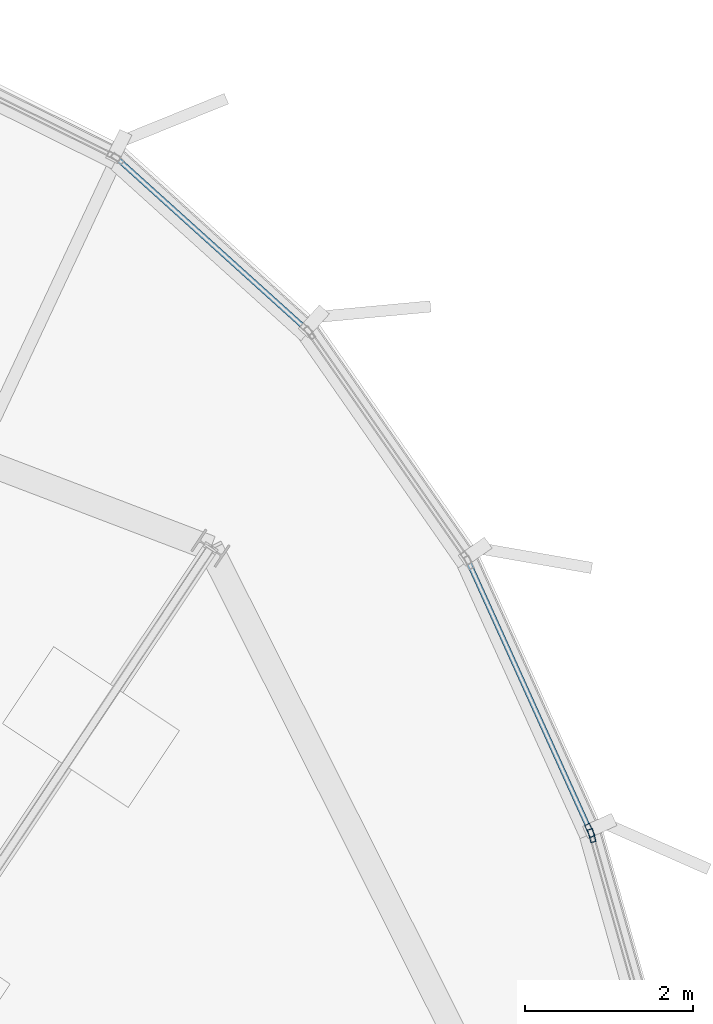
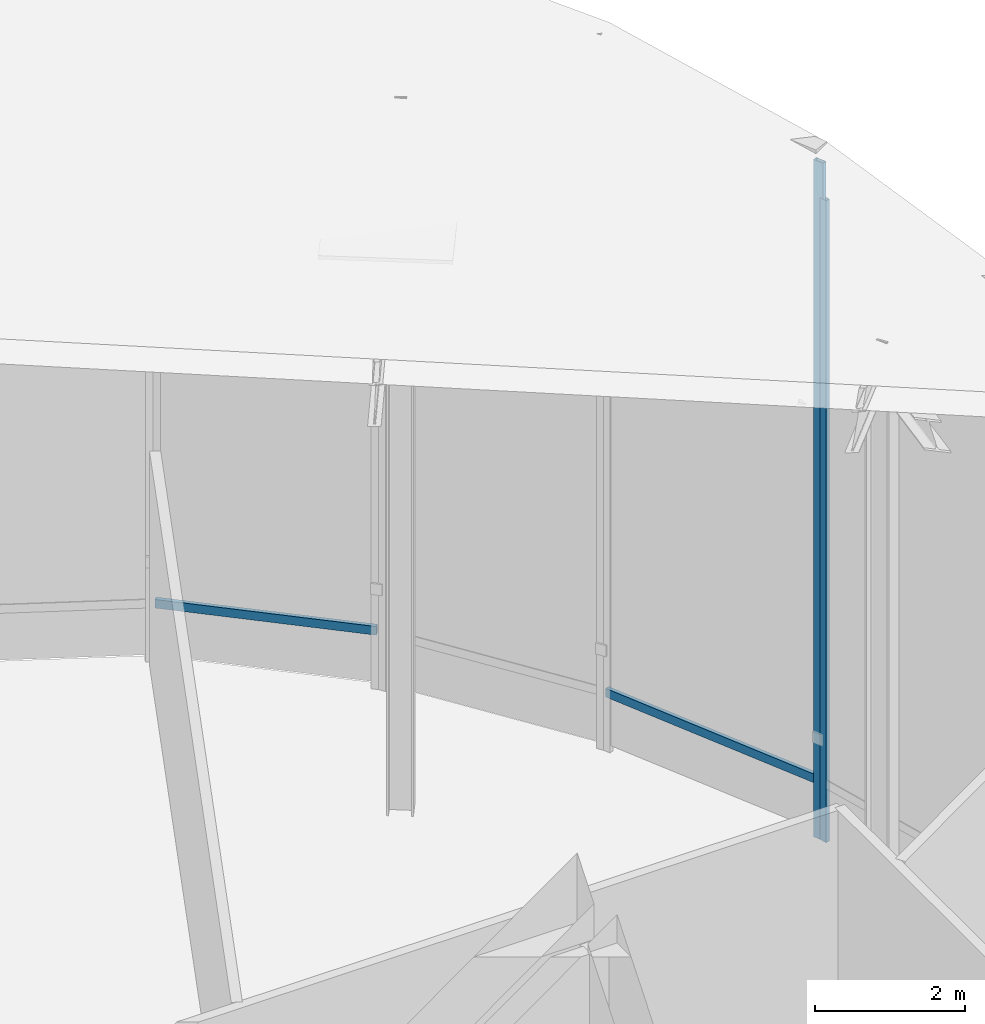
# One storey, part 23 of 36: 4 members, 3 elements without a shape of their own.
"""IFC4 building model written with IfcOpenShell, lengths in metres."""

from ifc_helpers import new_model, si_unit, direction, frame, origin, origin_2d, place, context, subcontext, project, spatial, hollow_rectangle, extrude, source, transform, mapped, material, layer, layer_set, material_profile, profile_set, type_object, element, aggregate, save


model = new_model("IFC4")

# Units and contexts
model_context = context("Model", 3, precision=1e-05, world=origin(), true_north=direction((0.0, 1.0)))
body_context = subcontext(model_context, "Body", "Model", "MODEL_VIEW")
ifc_project = project(units=[si_unit("LENGTHUNIT", "METRE"), si_unit("AREAUNIT", "SQUARE_METRE"), si_unit("VOLUMEUNIT", "CUBIC_METRE"), si_unit("PLANEANGLEUNIT", "RADIAN"), si_unit("MASSUNIT", "GRAM", prefix="KILO"), si_unit("THERMODYNAMICTEMPERATUREUNIT", "KELVIN")], contexts=[model_context])

# Site, building, storey
site_placement = place(None, origin())
site = spatial("IfcSite", under=ifc_project, at=site_placement, CompositionType="ELEMENT")
building_placement = place(site_placement, origin())
building = spatial("IfcBuilding", under=site, at=building_placement, Name="Kethvar Cultural Tower", CompositionType="ELEMENT")
storey_placement = place(building_placement, frame((0.0, 0.0, 324.300048828125)))
storey = spatial("IfcBuildingStorey", under=building, at=storey_placement, Name="L86", CompositionType="ELEMENT", Elevation=324.300048828125)

# Curtain wall, members
ifc_material = material(Name="Aluminium 6063-T6", Category="aluminium")
ifc_layer = layer(ifc_material, 0.179931640625, Name="Aluminium 6063-T6", Category="aluminium")
ifc_layer_set = layer_set([ifc_layer], Name="Aluminium 6063-T6 (180 mm)")
curtain_wall_type = type_object("IfcCurtainWallType", Name="CW-SYS-06-CROWN", PredefinedType="NOTDEFINED", material=ifc_layer_set)
curtain_wall_1_placement = place(storey_placement, origin())
curtain_wall_1 = element("IfcCurtainWall", 1, at=curtain_wall_1_placement, inside=storey, type_object=curtain_wall_type, Name="L86 Curtain Wall Run 33", PredefinedType="NOTDEFINED")
ifc_material_profile_1 = material_profile(ifc_material, hollow_rectangle(XDim=0.06494140625, YDim=0.159912109375, WallThickness=0.0048828125, at=origin_2d()), Name="Aluminium 6063-T6 — RHS160x65x5")
ifc_profile_set_1 = profile_set([ifc_material_profile_1], Name="Aluminium 6063-T6 — RHS160x65x5")
member_type_1 = type_object("IfcMemberType", Name="CW-SYS-06-CROWN-MUL", PredefinedType="MULLION", material=ifc_profile_set_1)
shared_shape_1 = source(origin(), body_context, "Body", "SweptSolid", [
    extrude(hollow_rectangle(XDim=0.06494140625, YDim=0.159912109375, WallThickness=0.0048828125, at=origin_2d()), origin(), (0.0, 0.0, 1.0), 11.035400390625),
])
member_1_placement = place(storey_placement, frame((62.3916015625, 41.013916015625, 0.0), z_axis=(0.0, 0.0, 1.0), x_axis=(-0.911338624867, -0.41165751642, 0.0)))
member_1 = element("IfcMember", 2, at=member_1_placement, type_object=member_type_1, Name="CW-L86-R33 Mullion 1", PredefinedType="MULLION", context=body_context, shape_type="MappedRepresentation", body=[
    mapped(shared_shape_1, transform((0.0, 0.0, 0.0), scale=1.0)),
])
ifc_material_profile_2 = material_profile(ifc_material, hollow_rectangle(XDim=0.06005859375, YDim=0.139892578125, WallThickness=0.0048828125, at=origin_2d()), Name="Aluminium 6063-T6 — RHS140x60x5")
ifc_profile_set_2 = profile_set([ifc_material_profile_2], Name="Aluminium 6063-T6 — RHS140x60x5")
member_type_2 = type_object("IfcMemberType", Name="CW-SYS-06-CROWN-TRN", PredefinedType="USERDEFINED", material=ifc_profile_set_2)
shared_shape_2 = source(origin(), body_context, "Body", "SweptSolid", [
    extrude(hollow_rectangle(XDim=0.06005859375, YDim=0.139892578125, WallThickness=0.0048828125, at=origin_2d()), origin(), (0.0, 0.0, 1.0), 3.490966796875),
])
member_2_placement = place(storey_placement, frame((62.389892578125, 41.018310546875, 0.949951171875), z_axis=(-0.411704767548, 0.911317279754, 0.0), x_axis=(-0.911317279754, -0.411704767548, 0.0)))
member_2 = element("IfcMember", 3, at=member_2_placement, type_object=member_type_2, Name="CW-L86-R33 Transom 1", ObjectType="TRANSOM", PredefinedType="USERDEFINED", context=body_context, shape_type="MappedRepresentation", body=[
    mapped(shared_shape_2, transform((0.0, 0.0, 0.0), scale=1.0)),
])
aggregate(curtain_wall_1, [member_1, member_2])

# Curtain wall, member
curtain_wall_2_placement = place(storey_placement, origin())
curtain_wall_2 = element("IfcCurtainWall", 4, at=curtain_wall_2_placement, inside=storey, type_object=curtain_wall_type, Name="L86 Curtain Wall Run 32", PredefinedType="NOTDEFINED")
shared_shape_3 = source(origin(), body_context, "Body", "SweptSolid", [
    extrude(hollow_rectangle(XDim=0.06494140625, YDim=0.159912109375, WallThickness=0.0048828125, at=origin_2d()), origin(), (0.0, 0.0, 1.0), 10.45751953125),
])
member_3_placement = place(storey_placement, frame((62.414306640625, 40.951904296875, 0.0), z_axis=(0.0, 0.0, 1.0), x_axis=(-0.962738960451, -0.270432420449, 0.0)))
member_3 = element("IfcMember", 5, at=member_3_placement, type_object=member_type_1, Name="CW-L86-R32 Mullion 2", PredefinedType="MULLION", context=body_context, shape_type="MappedRepresentation", body=[
    mapped(shared_shape_3, transform((0.0, 0.0, 0.0), scale=1.0)),
])
aggregate(curtain_wall_2, [member_3])

curtain_wall_3_placement = place(storey_placement, origin())
curtain_wall_3 = element("IfcCurtainWall", 6, at=curtain_wall_3_placement, inside=storey, type_object=curtain_wall_type, Name="L86 Curtain Wall Run 35", PredefinedType="NOTDEFINED")
shared_shape_4 = source(origin(), body_context, "Body", "SweptSolid", [
    extrude(hollow_rectangle(XDim=0.06005859375, YDim=0.139892578125, WallThickness=0.0048828125, at=origin_2d()), origin(), (0.0, 0.0, 1.0), 3.022705078125),
])
member_4_placement = place(storey_placement, frame((59.01416015625, 46.984130859375, 0.949951171875), z_axis=(-0.74236568129, 0.669994921804, 0.0), x_axis=(-0.669994921804, -0.74236568129, 0.0)))
member_4 = element("IfcMember", 7, at=member_4_placement, type_object=member_type_2, Name="CW-L86-R35 Transom 1", ObjectType="TRANSOM", PredefinedType="USERDEFINED", context=body_context, shape_type="MappedRepresentation", body=[
    mapped(shared_shape_4, transform((0.0, 0.0, 0.0), scale=1.0)),
])
aggregate(curtain_wall_3, [member_4])

save(model, "model.ifc")
